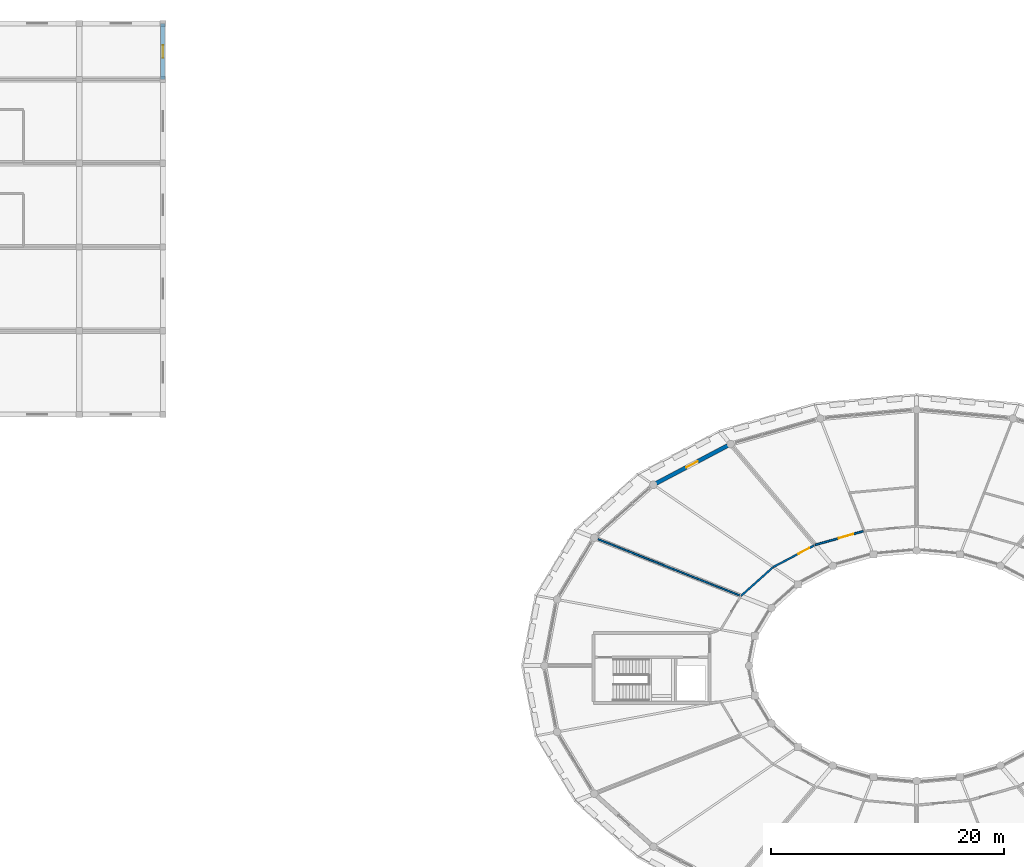
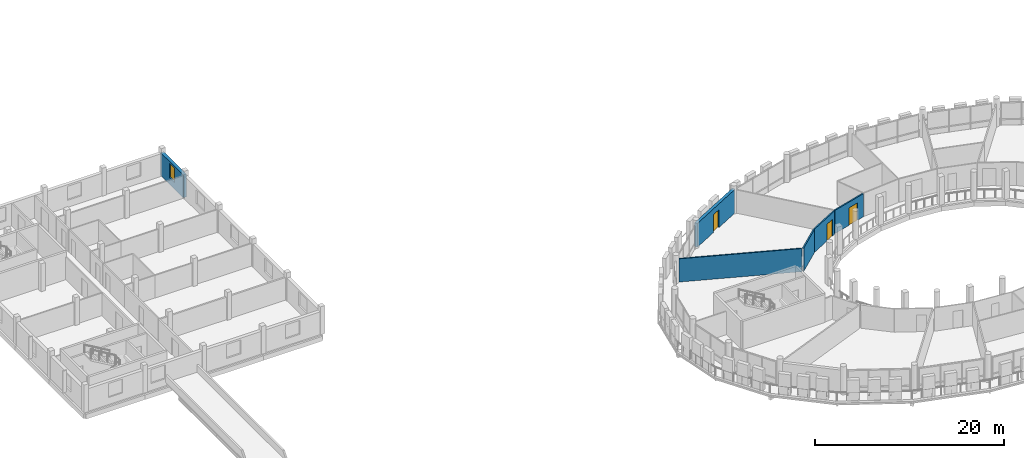
# One storey, part 80 of 93: 6 walls, 3 doors, 1 window, 4 openings.
"""IFC4 building model written with IfcOpenShell, lengths in metres."""

from ifc_helpers import new_model, si_unit, direction, frame, frame_2d, origin, place, context, subcontext, project, spatial, rectangle, extrude, material, layer, layer_set, type_object, element, fill, save


model = new_model("IFC4")

# Units and contexts
model_context = context("Model", 3, precision=1e-05, world=origin(), true_north=direction((0.0, 1.0)))
body_context = subcontext(model_context, "Body", "Model", "MODEL_VIEW")
ifc_project = project(units=[si_unit("LENGTHUNIT", "METRE"), si_unit("AREAUNIT", "SQUARE_METRE"), si_unit("VOLUMEUNIT", "CUBIC_METRE"), si_unit("PLANEANGLEUNIT", "RADIAN"), si_unit("MASSUNIT", "GRAM", prefix="KILO")], contexts=[model_context])

# Site, building, storey
site_placement = place(None, origin())
site = spatial("IfcSite", under=ifc_project, at=site_placement, CompositionType="ELEMENT")
building_placement = place(site_placement, origin())
building = spatial("IfcBuilding", under=site, at=building_placement, Name="Zornivar Specialist Clinic", CompositionType="ELEMENT")
storey_placement = place(building_placement, frame((0.0, 0.0, 8.39990234375)))
storey = spatial("IfcBuildingStorey", under=building, at=storey_placement, Name="L02", CompositionType="ELEMENT", Elevation=8.39990234375)

# Wall, opening, door
ifc_material_1 = material(Name="Masonry Drum Limestone Portal Wall", Category="masonry")
ifc_layer_1 = layer(ifc_material_1, 0.35009765625)
ifc_layer_set_1 = layer_set([ifc_layer_1], Name="Masonry Drum Limestone Portal Wall")
wall_type_1 = type_object("IfcWallType", Name="EW-DRUM-350", PredefinedType="SOLIDWALL", material=ifc_layer_set_1)
wall_1_placement = place(storey_placement, frame((77.60009765625, 76.653076171875, 0.0), z_axis=(0.0, 0.0, 1.0), x_axis=(-0.8844187475, -0.466694202954, 0.0)))
wall_1 = element("IfcWall", 1, at=wall_1_placement, inside=storey, type_object=wall_type_1, Name="ew:V1:L02:c08", PredefinedType="SOLIDWALL", context=body_context, shape_type="SweptSolid", body=[
    extrude(rectangle(XDim=7.4931640625, YDim=0.35009765625, at=frame_2d((3.74658203125, 0.0))), origin(), (0.0, 0.0, 1.0), 3.050048828125),
])
opening_1_placement = place(wall_1_placement, frame((3.197021484375, 0.0, 0.0)))
opening_1 = element("IfcOpeningElement", 2, at=opening_1_placement, cuts=wall_1, Name="Opening BD-02", PredefinedType="OPENING", context=body_context, shape_type="SweptSolid", body=[
    extrude(rectangle(XDim=1.10009765625, YDim=2.300048828125, at=frame_2d((0.550048828125, 1.14990234375))), frame((0.0, 0.18505859375, 0.0), z_axis=(0.0, -1.0, 0.0), x_axis=(1.0, 0.0, 0.0)), (0.0, 0.0, 1.0), 0.3701171875),
])
ifc_material_2 = material(Name="Thermally Broken Glazed Aluminium Door", Category="aluminium")
door_type_1 = type_object("IfcDoorType", Name="BD-BALC-1100x2300", OperationType="NOTDEFINED", PredefinedType="DOOR", material=ifc_material_2)
door_1_placement = place(opening_1_placement, origin())
door_1 = element("IfcDoor", 3, at=door_1_placement, inside=storey, type_object=door_type_1, Name="door:V1:L02:c08", OperationType="SINGLE_SWING_LEFT", OverallHeight=2.300048828125, OverallWidth=1.10009765625, PredefinedType="DOOR", context=body_context, shape_type="SweptSolid", body=[
    extrude(rectangle(XDim=1.10009765625, YDim=2.300048828125, at=frame_2d((0.550048828125, 1.14990234375))), frame((0.0, 0.02490234375, 0.0), z_axis=(0.0, -1.0, 0.0), x_axis=(1.0, 0.0, 0.0)), (0.0, 0.0, 1.0), 0.050048828125),
])
fill(opening_1, door_1)

# Wall, opening, window
ifc_material_3 = material(Name="Masonry Hygienic Insulated Procedure Wing Wall", Category="masonry")
ifc_layer_2 = layer(ifc_material_3, 0.39990234375)
ifc_layer_set_2 = layer_set([ifc_layer_2], Name="Masonry Hygienic Insulated Procedure Wing Wall")
wall_type_2 = type_object("IfcWallType", Name="EW-PROC-400", PredefinedType="SOLIDWALL", material=ifc_layer_set_2)
wall_2_placement = place(storey_placement, frame((28.800048828125, 108.0, 0.0), z_axis=(0.0, 0.0, 1.0), x_axis=(0.0, 1.0, 0.0)))
wall_2 = element("IfcWall", 4, at=wall_2_placement, inside=storey, type_object=wall_type_2, Name="ew:V5:L02:08", PredefinedType="SOLIDWALL", context=body_context, shape_type="SweptSolid", body=[
    extrude(rectangle(XDim=4.800048828125, YDim=0.39990234375, at=frame_2d((2.39990234375, 0.0))), origin(), (0.0, 0.0, 1.0), 2.920166015625),
])
opening_2_placement = place(wall_2_placement, frame((1.85009765625, 0.0, 0.85009765625)))
opening_2 = element("IfcOpeningElement", 5, at=opening_2_placement, cuts=wall_2, Name="Opening W-07", PredefinedType="OPENING", context=body_context, shape_type="SweptSolid", body=[
    extrude(rectangle(XDim=1.10009765625, YDim=1.85009765625, at=frame_2d((0.550048828125, 0.925048828125))), frame((0.0, 0.2099609375, 0.0), z_axis=(0.0, -1.0, 0.0), x_axis=(1.0, 0.0, 0.0)), (0.0, 0.0, 1.0), 0.419921875),
])
ifc_material_4 = material(Name="Triple-Glazed Aluminium-Timber Window Glass", Category="wood")
window_type = type_object("IfcWindowType", Name="WIN-OUTP-PIER-1100x1850", PartitioningType="SINGLE_PANEL", PredefinedType="WINDOW", material=ifc_material_4)
window_placement = place(opening_2_placement, origin())
window = element("IfcWindow", 6, at=window_placement, inside=storey, type_object=window_type, Name="win:V5:L02:08", OverallHeight=1.85009765625, OverallWidth=1.10009765625, PartitioningType="SINGLE_PANEL", PredefinedType="WINDOW", context=body_context, shape_type="SweptSolid", body=[
    extrude(rectangle(XDim=1.10009765625, YDim=1.85009765625, at=frame_2d((0.550048828125, 0.925048828125))), frame((0.0, 0.030029296875, 0.0), z_axis=(0.0, -1.0, 0.0), x_axis=(1.0, 0.0, 0.0)), (0.0, 0.0, 1.0), 0.06005859375),
])
fill(opening_2, window)

# Wall
ifc_material_5 = material(Name="Acoustic Clinical Stud Partition")
ifc_layer_3 = layer(ifc_material_5, 0.139892578125)
ifc_layer_set_3 = layer_set([ifc_layer_3], Name="Acoustic Clinical Stud Partition")
wall_type_3 = type_object("IfcWallType", Name="IW-CLIN-140", PredefinedType="PARTITIONING", material=ifc_layer_set_3)
wall_3_placement = place(storey_placement, frame((78.365966796875, 63.64697265625, 0.0), z_axis=(0.0, 0.0, 1.0), x_axis=(-0.929476502333, 0.368881324562, 0.0)))
element("IfcWall", 7, at=wall_3_placement, inside=storey, type_object=wall_type_3, Name="iw:L02:022", PredefinedType="PARTITIONING", context=body_context, shape_type="SweptSolid", body=[
    extrude(rectangle(XDim=13.09130859375, YDim=0.139892578125, at=frame_2d((6.545654296875, 0.0))), origin(), (0.0, 0.0, 1.0), 2.989990234375),
])

# Wall, opening, door
ifc_material_6 = material(Name="Gypsum Fire-Rated Double Stud Partition")
ifc_layer_4 = layer(ifc_material_6, 0.159912109375)
ifc_layer_set_4 = layer_set([ifc_layer_4], Name="Gypsum Fire-Rated Double Stud Partition")
wall_type_4 = type_object("IfcWallType", Name="IW-CORR-EI60-160", PredefinedType="PARTITIONING", material=ifc_layer_set_4)
wall_4_placement = place(storey_placement, frame((89.001953125, 69.156982421875, 0.0), z_axis=(0.0, 0.0, 1.0), x_axis=(-0.961809330403, -0.273720317021, 0.0)))
wall_4 = element("IfcWall", 8, at=wall_4_placement, inside=storey, type_object=wall_type_4, Name="iw:L02:018", PredefinedType="PARTITIONING", context=body_context, shape_type="SweptSolid", body=[
    extrude(rectangle(XDim=4.28564453125, YDim=0.159912109375, at=frame_2d((2.142822265625, 0.0))), origin(), (0.0, 0.0, 1.0), 2.989990234375),
])
opening_3_placement = place(wall_4_placement, frame((0.885009765625, 0.0, 0.0)))
opening_3 = element("IfcOpeningElement", 9, at=opening_3_placement, cuts=wall_4, Name="Opening ID-13", PredefinedType="OPENING", context=body_context, shape_type="SweptSolid", body=[
    extrude(rectangle(XDim=1.300048828125, YDim=2.25, at=frame_2d((0.64990234375, 1.125))), frame((0.0, 0.08984375, 0.0), z_axis=(0.0, -1.0, 0.0), x_axis=(1.0, 0.0, 0.0)), (0.0, 0.0, 1.0), 0.179931640625),
])
ifc_material_7 = material(Name="Solid-Core Hygienic Laminate Timber Door", Category="wood")
door_type_2 = type_object("IfcDoorType", Name="ID-RECOV-1300x2250", OperationType="NOTDEFINED", PredefinedType="DOOR", material=ifc_material_7)
door_2_placement = place(opening_3_placement, origin())
door_2 = element("IfcDoor", 10, at=door_2_placement, inside=storey, type_object=door_type_2, Name="door:space:V1:L02:rm:06", OperationType="SINGLE_SWING_RIGHT", OverallHeight=2.25, OverallWidth=1.300048828125, PredefinedType="DOOR", context=body_context, shape_type="SweptSolid", body=[
    extrude(rectangle(XDim=1.300048828125, YDim=2.25, at=frame_2d((0.64990234375, 1.125))), frame((0.0, 0.02490234375, 0.0), z_axis=(0.0, -1.0, 0.0), x_axis=(1.0, 0.0, 0.0)), (0.0, 0.0, 1.0), 0.050048828125),
])
fill(opening_3, door_2)

wall_5_placement = place(storey_placement, frame((84.7890625, 67.93603515625, 0.0), z_axis=(0.0, 0.0, 1.0), x_axis=(-0.884400221891, -0.466729308613, 0.0)))
wall_5 = element("IfcWall", 11, at=wall_5_placement, inside=storey, type_object=wall_type_4, Name="iw:L02:020", PredefinedType="PARTITIONING", context=body_context, shape_type="SweptSolid", body=[
    extrude(rectangle(XDim=3.981201171875, YDim=0.159912109375, at=frame_2d((1.99072265625, 0.0))), origin(), (0.0, 0.0, 1.0), 2.989990234375),
])
opening_4_placement = place(wall_5_placement, frame((0.47998046875, 0.0, 0.0)))
opening_4 = element("IfcOpeningElement", 12, at=opening_4_placement, cuts=wall_5, Name="Opening ID-03", PredefinedType="OPENING", context=body_context, shape_type="SweptSolid", body=[
    extrude(rectangle(XDim=1.050048828125, YDim=2.14990234375, at=frame_2d((0.52490234375, 1.074951171875))), frame((0.0, 0.08984375, 0.0), z_axis=(0.0, -1.0, 0.0), x_axis=(1.0, 0.0, 0.0)), (0.0, 0.0, 1.0), 0.179931640625),
])
ifc_material_8 = material(Name="Solid-Core Hygienic Laminate Timber Door", Category="wood")
door_type_3 = type_object("IfcDoorType", Name="ID-CONS-1050x2150", OperationType="NOTDEFINED", PredefinedType="DOOR", material=ifc_material_8)
door_3_placement = place(opening_4_placement, origin())
door_3 = element("IfcDoor", 13, at=door_3_placement, inside=storey, type_object=door_type_3, Name="door:space:V1:L02:rm:07", OperationType="SINGLE_SWING_LEFT", OverallHeight=2.14990234375, OverallWidth=1.050048828125, PredefinedType="DOOR", context=body_context, shape_type="SweptSolid", body=[
    extrude(rectangle(XDim=1.050048828125, YDim=2.14990234375, at=frame_2d((0.52490234375, 1.074951171875))), frame((0.0, 0.02490234375, 0.0), z_axis=(0.0, -1.0, 0.0), x_axis=(1.0, 0.0, 0.0)), (0.0, 0.0, 1.0), 0.050048828125),
])
fill(opening_4, door_3)

# Wall
wall_6_placement = place(storey_placement, frame((81.259033203125, 66.070068359375, 0.0), z_axis=(0.0, 0.0, 1.0), x_axis=(-0.744840105901, -0.667242996697, 0.0)))
element("IfcWall", 14, at=wall_6_placement, inside=storey, type_object=wall_type_4, Name="iw:L02:021", PredefinedType="PARTITIONING", context=body_context, shape_type="SweptSolid", body=[
    extrude(rectangle(XDim=3.70947265625, YDim=0.159912109375, at=frame_2d((1.854736328125, 0.0))), origin(), (0.0, 0.0, 1.0), 2.989990234375),
])

save(model, "model.ifc")
